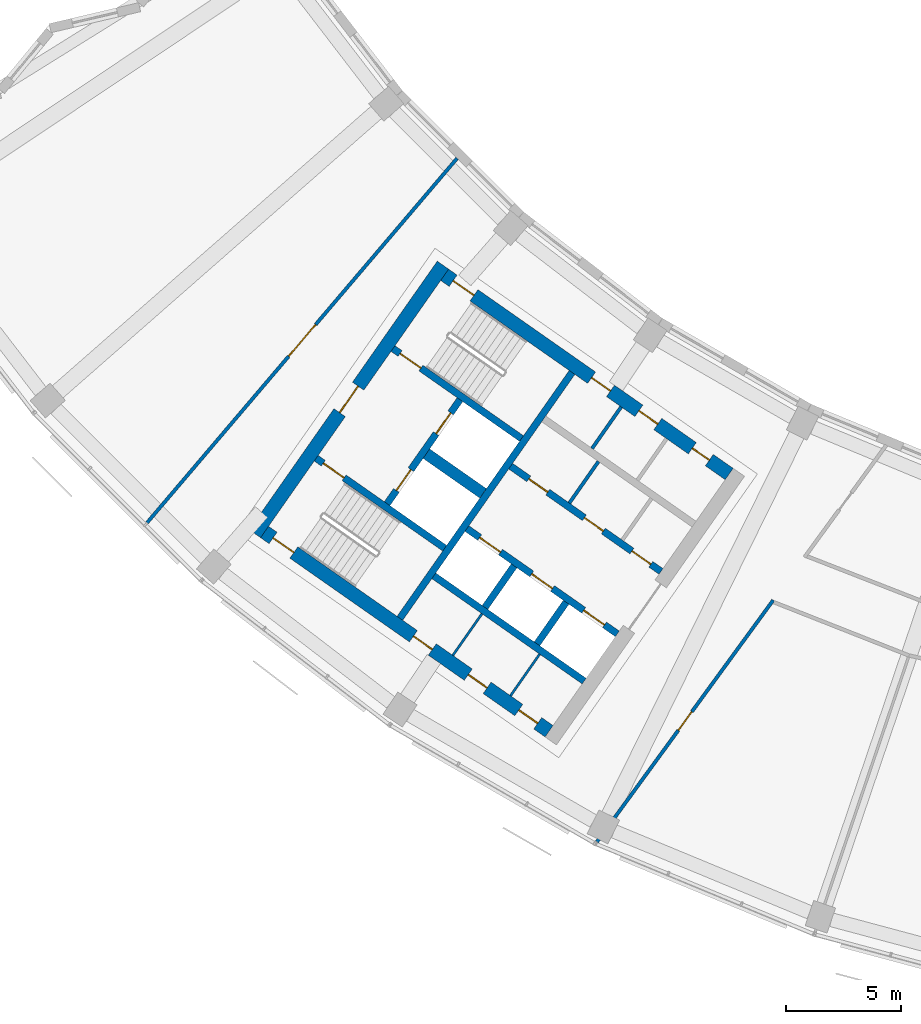
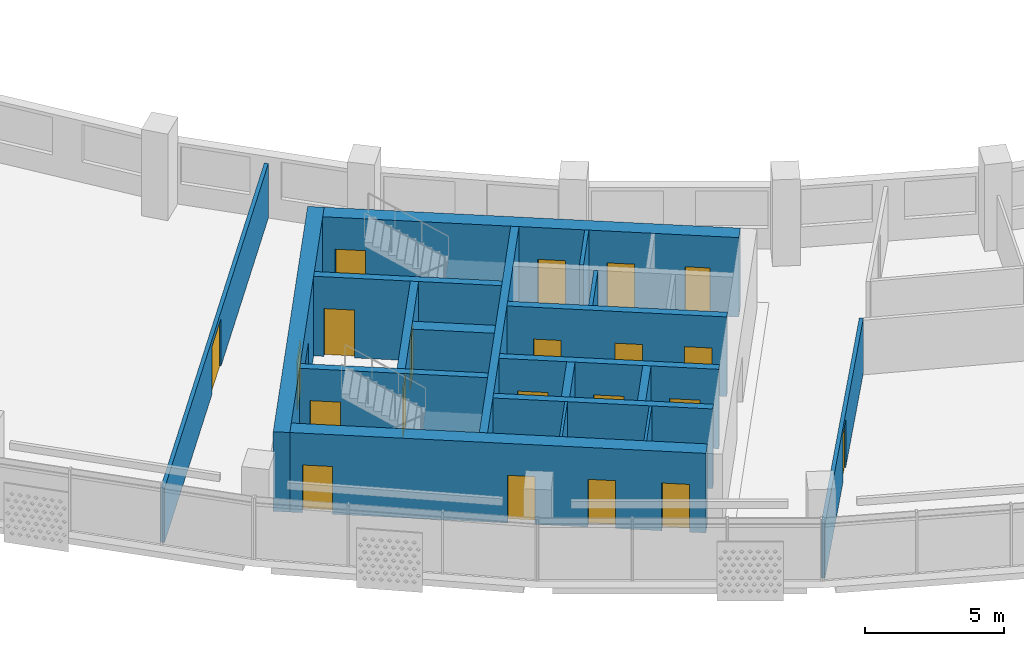
# One storey, part 3 of 27: 21 doors, 19 walls, 21 openings.
"""IFC4 building model written with IfcOpenShell, lengths in metres."""

from ifc_helpers import new_model, si_unit, direction, frame, frame_2d, origin, place, context, subcontext, project, spatial, rectangle, extrude, material, layer, layer_set, type_object, element, fill, save


model = new_model("IFC4")

# Units and contexts
model_context = context("Model", 3, precision=1e-05, world=origin(), true_north=direction((0.0, 1.0)))
body_context = subcontext(model_context, "Body", "Model", "MODEL_VIEW")
ifc_project = project(units=[si_unit("LENGTHUNIT", "METRE"), si_unit("AREAUNIT", "SQUARE_METRE"), si_unit("VOLUMEUNIT", "CUBIC_METRE"), si_unit("PLANEANGLEUNIT", "RADIAN"), si_unit("MASSUNIT", "GRAM", prefix="KILO")], contexts=[model_context])

# Site, building, storey
site_placement = place(None, origin())
site = spatial("IfcSite", under=ifc_project, at=site_placement, CompositionType="ELEMENT")
building_placement = place(site_placement, origin())
building = spatial("IfcBuilding", under=site, at=building_placement, Name="Qamariyya Broadcast Tower", CompositionType="ELEMENT")
storey_placement = place(building_placement, frame((0.0, 0.0, 222.699951171875)))
storey = spatial("IfcBuildingStorey", under=building, at=storey_placement, Name="L53", CompositionType="ELEMENT", Elevation=222.699951171875)

# Wall, opening, door
ifc_material_1 = material(Name="Concrete C60/75", Category="concrete")
ifc_layer_1 = layer(ifc_material_1, 0.60009765625)
ifc_layer_set_1 = layer_set([ifc_layer_1], Name="Core wall 600 mm Concrete C60/75")
wall_type_1 = type_object("IfcWallType", Name="Core wall 600 mm Concrete C60/75", PredefinedType="SHEAR", material=ifc_layer_set_1)
wall_1_placement = place(storey_placement, frame((-49.4833984375, -57.031494140625, 0.0), z_axis=(0.0, 0.0, 1.0), x_axis=(0.573560421458, 0.819163257805, 0.0)))
wall_1 = element("IfcWall", 1, at=wall_1_placement, inside=storey, type_object=wall_type_1, Name="k-W-L53-WH", PredefinedType="SHEAR", context=body_context, shape_type="SweptSolid", body=[
    extrude(rectangle(XDim=14.199951171875, YDim=0.60009765625, at=frame_2d((7.10009765625, 0.0))), origin(), (0.0, 0.0, 1.0), 3.5),
])
opening_1_placement = place(wall_1_placement, frame((6.39990234375, 0.0, 0.0)))
opening_1 = element("IfcOpeningElement", 2, at=opening_1_placement, cuts=wall_1, Name="Opening KD2-W1", PredefinedType="OPENING", context=body_context, shape_type="SweptSolid", body=[
    extrude(rectangle(XDim=1.39990234375, YDim=2.10009765625, at=frame_2d((0.699951171875, 1.050048828125))), frame((0.0, 0.31005859375, 0.0), z_axis=(0.0, -1.0, 0.0), x_axis=(1.0, 0.0, 0.0)), (0.0, 0.0, 1.0), 0.6201171875),
])
ifc_material_2 = material(Name="Steel fire-resisting door leaf", Category="steel")
door_type_1 = type_object("IfcDoorType", Name="Fire-fighting lobby door KD2", OperationType="DOUBLE_DOOR_SINGLE_SWING", PredefinedType="DOOR", material=ifc_material_2)
door_1_placement = place(opening_1_placement, origin())
door_1 = element("IfcDoor", 3, at=door_1_placement, inside=storey, type_object=door_type_1, Name="k-W-L53-WH-D16", OperationType="DOUBLE_DOOR_SINGLE_SWING", OverallHeight=2.10009765625, OverallWidth=1.39990234375, PredefinedType="DOOR", context=body_context, shape_type="SweptSolid", body=[
    extrude(rectangle(XDim=1.39990234375, YDim=2.10009765625, at=frame_2d((0.699951171875, 1.050048828125))), frame((0.0, 0.02490234375, 0.0), z_axis=(0.0, -1.0, 0.0), x_axis=(1.0, 0.0, 0.0)), (0.0, 0.0, 1.0), 0.050048828125),
])
fill(opening_1, door_1)

# Wall, openings, doors
wall_2_placement = place(storey_placement, frame((-28.940673828125, -54.447021484375, 0.0), z_axis=(0.0, 0.0, 1.0), x_axis=(-0.819153391756, 0.573574511963, 0.0)))
wall_2 = element("IfcWall", 4, at=wall_2_placement, inside=storey, type_object=wall_type_1, Name="k-W-L53-WI", PredefinedType="SHEAR", context=body_context, shape_type="SweptSolid", body=[
    extrude(rectangle(XDim=15.04541015625, YDim=0.60009765625, at=frame_2d((7.522705078125, 0.0))), origin(), (0.0, 0.0, 1.0), 3.5),
])
opening_2_placement = place(wall_2_placement, frame((1.050048828125, 0.0, 0.0)))
opening_2 = element("IfcOpeningElement", 5, at=opening_2_placement, cuts=wall_2, Name="Opening KD5-W1", PredefinedType="OPENING", context=body_context, shape_type="SweptSolid", body=[
    extrude(rectangle(XDim=0.89990234375, YDim=2.10009765625, at=frame_2d((0.449951171875, 1.050048828125))), frame((0.0, 0.31005859375, 0.0), z_axis=(0.0, -1.0, 0.0), x_axis=(1.0, 0.0, 0.0)), (0.0, 0.0, 1.0), 0.6201171875),
])
opening_3_placement = place(wall_2_placement, frame((3.77490234375, 0.0, 0.0)))
opening_3 = element("IfcOpeningElement", 6, at=opening_3_placement, cuts=wall_2, Name="Opening KD7-W1", PredefinedType="OPENING", context=body_context, shape_type="SweptSolid", body=[
    extrude(rectangle(XDim=1.0, YDim=2.10009765625, at=frame_2d((0.5, 1.050048828125))), frame((0.0, 0.31005859375, 0.0), z_axis=(0.0, -1.0, 0.0), x_axis=(1.0, 0.0, 0.0)), (0.0, 0.0, 1.0), 0.6201171875),
])
opening_4_placement = place(wall_2_placement, frame((6.27490234375, 0.0, 0.0)))
opening_4 = element("IfcOpeningElement", 7, at=opening_4_placement, cuts=wall_2, Name="Opening KD6-W3", PredefinedType="OPENING", context=body_context, shape_type="SweptSolid", body=[
    extrude(rectangle(XDim=1.0, YDim=2.10009765625, at=frame_2d((0.5, 1.050048828125))), frame((0.0, 0.31005859375, 0.0), z_axis=(0.0, -1.0, 0.0), x_axis=(1.0, 0.0, 0.0)), (0.0, 0.0, 1.0), 0.6201171875),
])
opening_5_placement = place(wall_2_placement, frame((13.495361328125, 0.0, 0.0)))
opening_5 = element("IfcOpeningElement", 8, at=opening_5_placement, cuts=wall_2, Name="Opening KD1-W1", PredefinedType="OPENING", context=body_context, shape_type="SweptSolid", body=[
    extrude(rectangle(XDim=1.10009765625, YDim=2.10009765625, at=frame_2d((0.550048828125, 1.050048828125))), frame((0.0, 0.31005859375, 0.0), z_axis=(0.0, -1.0, 0.0), x_axis=(1.0, 0.0, 0.0)), (0.0, 0.0, 1.0), 0.6201171875),
])
door_type_2 = type_object("IfcDoorType", Name="Accessible toilet door KD7", OperationType="SINGLE_SWING_LEFT", PredefinedType="DOOR", material=ifc_material_2)
door_2_placement = place(opening_3_placement, origin())
door_2 = element("IfcDoor", 9, at=door_2_placement, inside=storey, type_object=door_type_2, Name="k-W-L53-WI-D9", OperationType="SINGLE_SWING_RIGHT", OverallHeight=2.10009765625, OverallWidth=1.0, PredefinedType="DOOR", context=body_context, shape_type="SweptSolid", body=[
    extrude(rectangle(XDim=1.0, YDim=2.10009765625, at=frame_2d((0.5, 1.050048828125))), frame((0.0, 0.02490234375, 0.0), z_axis=(0.0, -1.0, 0.0), x_axis=(1.0, 0.0, 0.0)), (0.0, 0.0, 1.0), 0.050048828125),
])
fill(opening_3, door_2)
door_type_3 = type_object("IfcDoorType", Name="Core room door KD6", OperationType="SINGLE_SWING_LEFT", PredefinedType="DOOR", material=ifc_material_2)
door_3_placement = place(opening_4_placement, origin())
door_3 = element("IfcDoor", 10, at=door_3_placement, inside=storey, type_object=door_type_3, Name="k-W-L53-WI-D10", OperationType="SINGLE_SWING_LEFT", OverallHeight=2.10009765625, OverallWidth=1.0, PredefinedType="DOOR", context=body_context, shape_type="SweptSolid", body=[
    extrude(rectangle(XDim=1.0, YDim=2.10009765625, at=frame_2d((0.5, 1.050048828125))), frame((0.0, 0.02490234375, 0.0), z_axis=(0.0, -1.0, 0.0), x_axis=(1.0, 0.0, 0.0)), (0.0, 0.0, 1.0), 0.050048828125),
])
fill(opening_4, door_3)
door_type_4 = type_object("IfcDoorType", Name="Stair door KD1", OperationType="SINGLE_SWING_LEFT", PredefinedType="DOOR", material=ifc_material_2)
door_4_placement = place(opening_5_placement, origin())
door_4 = element("IfcDoor", 11, at=door_4_placement, inside=storey, type_object=door_type_4, Name="k-W-L53-WI-D17", OperationType="SINGLE_SWING_RIGHT", OverallHeight=2.10009765625, OverallWidth=1.10009765625, PredefinedType="DOOR", context=body_context, shape_type="SweptSolid", body=[
    extrude(rectangle(XDim=1.10009765625, YDim=2.10009765625, at=frame_2d((0.550048828125, 1.050048828125))), frame((0.0, 0.02490234375, 0.0), z_axis=(0.0, -1.0, 0.0), x_axis=(1.0, 0.0, 0.0)), (0.0, 0.0, 1.0), 0.050048828125),
])
fill(opening_5, door_4)
door_type_5 = type_object("IfcDoorType", Name="Toilet door KD5", OperationType="SINGLE_SWING_LEFT", PredefinedType="DOOR", material=ifc_material_2)
door_5_placement = place(opening_2_placement, origin())
door_5 = element("IfcDoor", 12, at=door_5_placement, inside=storey, type_object=door_type_5, Name="k-W-L53-WI-D8", OperationType="SINGLE_SWING_LEFT", OverallHeight=2.10009765625, OverallWidth=0.89990234375, PredefinedType="DOOR", context=body_context, shape_type="SweptSolid", body=[
    extrude(rectangle(XDim=0.89990234375, YDim=2.10009765625, at=frame_2d((0.449951171875, 1.050048828125))), frame((0.0, 0.02490234375, 0.0), z_axis=(0.0, -1.0, 0.0), x_axis=(1.0, 0.0, 0.0)), (0.0, 0.0, 1.0), 0.050048828125),
])
fill(opening_2, door_5)

wall_3_placement = place(storey_placement, frame((-36.7412109375, -65.58740234375, 0.0), z_axis=(0.0, 0.0, 1.0), x_axis=(-0.819153391756, 0.573574511963, 0.0)))
wall_3 = element("IfcWall", 13, at=wall_3_placement, inside=storey, type_object=wall_type_1, Name="k-W-L53-WO", PredefinedType="SHEAR", context=body_context, shape_type="SweptSolid", body=[
    extrude(rectangle(XDim=15.04541015625, YDim=0.60009765625, at=frame_2d((7.522705078125, 0.0))), origin(), (0.0, 0.0, 1.0), 3.5),
])
opening_6_placement = place(wall_3_placement, frame((0.60009765625, 0.0, 0.0)))
opening_6 = element("IfcOpeningElement", 14, at=opening_6_placement, cuts=wall_3, Name="Opening KD4-W2", PredefinedType="OPENING", context=body_context, shape_type="SweptSolid", body=[
    extrude(rectangle(XDim=1.0, YDim=2.10009765625, at=frame_2d((0.5, 1.050048828125))), frame((0.0, 0.31005859375, 0.0), z_axis=(0.0, -1.0, 0.0), x_axis=(1.0, 0.0, 0.0)), (0.0, 0.0, 1.0), 0.6201171875),
])
opening_7_placement = place(wall_3_placement, frame((3.27490234375, 0.0, 0.0)))
opening_7 = element("IfcOpeningElement", 15, at=opening_7_placement, cuts=wall_3, Name="Opening KD4-W3", PredefinedType="OPENING", context=body_context, shape_type="SweptSolid", body=[
    extrude(rectangle(XDim=1.0, YDim=2.10009765625, at=frame_2d((0.5, 1.050048828125))), frame((0.0, 0.31005859375, 0.0), z_axis=(0.0, -1.0, 0.0), x_axis=(1.0, 0.0, 0.0)), (0.0, 0.0, 1.0), 0.6201171875),
])
opening_8_placement = place(wall_3_placement, frame((6.175048828125, 0.0, 0.0)))
opening_8 = element("IfcOpeningElement", 16, at=opening_8_placement, cuts=wall_3, Name="Opening KD4-W4", PredefinedType="OPENING", context=body_context, shape_type="SweptSolid", body=[
    extrude(rectangle(XDim=1.0, YDim=2.10009765625, at=frame_2d((0.5, 1.050048828125))), frame((0.0, 0.31005859375, 0.0), z_axis=(0.0, -1.0, 0.0), x_axis=(1.0, 0.0, 0.0)), (0.0, 0.0, 1.0), 0.6201171875),
])
opening_9_placement = place(wall_3_placement, frame((13.495361328125, 0.0, 0.0)))
opening_9 = element("IfcOpeningElement", 17, at=opening_9_placement, cuts=wall_3, Name="Opening KD1-W3", PredefinedType="OPENING", context=body_context, shape_type="SweptSolid", body=[
    extrude(rectangle(XDim=1.10009765625, YDim=2.10009765625, at=frame_2d((0.550048828125, 1.050048828125))), frame((0.0, 0.31005859375, 0.0), z_axis=(0.0, -1.0, 0.0), x_axis=(1.0, 0.0, 0.0)), (0.0, 0.0, 1.0), 0.6201171875),
])
door_type_6 = type_object("IfcDoorType", Name="Riser and plant door KD4", OperationType="SINGLE_SWING_LEFT", PredefinedType="DOOR", material=ifc_material_2)
door_6_placement = place(opening_6_placement, origin())
door_6 = element("IfcDoor", 18, at=door_6_placement, inside=storey, type_object=door_type_6, Name="k-W-L53-WO-D11", OperationType="SINGLE_SWING_RIGHT", OverallHeight=2.10009765625, OverallWidth=1.0, PredefinedType="DOOR", context=body_context, shape_type="SweptSolid", body=[
    extrude(rectangle(XDim=1.0, YDim=2.10009765625, at=frame_2d((0.5, 1.050048828125))), frame((0.0, 0.02490234375, 0.0), z_axis=(0.0, -1.0, 0.0), x_axis=(1.0, 0.0, 0.0)), (0.0, 0.0, 1.0), 0.050048828125),
])
fill(opening_6, door_6)
door_7_placement = place(opening_7_placement, origin())
door_7 = element("IfcDoor", 19, at=door_7_placement, inside=storey, type_object=door_type_6, Name="k-W-L53-WO-D12", OperationType="SINGLE_SWING_LEFT", OverallHeight=2.10009765625, OverallWidth=1.0, PredefinedType="DOOR", context=body_context, shape_type="SweptSolid", body=[
    extrude(rectangle(XDim=1.0, YDim=2.10009765625, at=frame_2d((0.5, 1.050048828125))), frame((0.0, 0.02490234375, 0.0), z_axis=(0.0, -1.0, 0.0), x_axis=(1.0, 0.0, 0.0)), (0.0, 0.0, 1.0), 0.050048828125),
])
fill(opening_7, door_7)
door_8_placement = place(opening_8_placement, origin())
door_8 = element("IfcDoor", 20, at=door_8_placement, inside=storey, type_object=door_type_6, Name="k-W-L53-WO-D13", OperationType="SINGLE_SWING_RIGHT", OverallHeight=2.10009765625, OverallWidth=1.0, PredefinedType="DOOR", context=body_context, shape_type="SweptSolid", body=[
    extrude(rectangle(XDim=1.0, YDim=2.10009765625, at=frame_2d((0.5, 1.050048828125))), frame((0.0, 0.02490234375, 0.0), z_axis=(0.0, -1.0, 0.0), x_axis=(1.0, 0.0, 0.0)), (0.0, 0.0, 1.0), 0.050048828125),
])
fill(opening_8, door_8)
door_9_placement = place(opening_9_placement, origin())
door_9 = element("IfcDoor", 21, at=door_9_placement, inside=storey, type_object=door_type_4, Name="k-W-L53-WO-D19", OperationType="SINGLE_SWING_LEFT", OverallHeight=2.10009765625, OverallWidth=1.10009765625, PredefinedType="DOOR", context=body_context, shape_type="SweptSolid", body=[
    extrude(rectangle(XDim=1.10009765625, YDim=2.10009765625, at=frame_2d((0.550048828125, 1.050048828125))), frame((0.0, 0.02490234375, 0.0), z_axis=(0.0, -1.0, 0.0), x_axis=(1.0, 0.0, 0.0)), (0.0, 0.0, 1.0), 0.050048828125),
])
fill(opening_9, door_9)

# Wall, opening, door
ifc_material_3 = material(Name="Gypsum board partition")
ifc_layer_2 = layer(ifc_material_3, 0.14990234375)
ifc_layer_set_2 = layer_set([ifc_layer_2], Name="Corridor partition 150 EI 60")
wall_type_2 = type_object("IfcWallType", Name="Corridor partition 150 EI 60", PredefinedType="PARTITIONING", material=ifc_layer_set_2)
wall_4_placement = place(storey_placement, frame((-54.15283203125, -56.554931640625, 0.0), z_axis=(0.0, 0.0, 1.0), x_axis=(0.647962636986, 0.761672121762, 0.0)))
wall_4 = element("IfcWall", 22, at=wall_4_placement, inside=storey, type_object=wall_type_2, Name="Partition L53-001", PredefinedType="PARTITIONING", context=body_context, shape_type="SweptSolid", body=[
    extrude(rectangle(XDim=20.723388671875, YDim=0.14990234375, at=frame_2d((10.36181640625, 0.0))), origin(), (0.0, 0.0, 1.0), 2.400146484375),
])
opening_10_placement = place(wall_4_placement, frame((9.461669921875, 0.0, 0.0)))
opening_10 = element("IfcOpeningElement", 23, at=opening_10_placement, cuts=wall_4, Name="Opening L53-D15", PredefinedType="OPENING", context=body_context, shape_type="SweptSolid", body=[
    extrude(rectangle(XDim=1.800048828125, YDim=2.10009765625, at=frame_2d((0.89990234375, 1.050048828125))), frame((0.0, 0.0849609375, 0.0), z_axis=(0.0, -1.0, 0.0), x_axis=(1.0, 0.0, 0.0)), (0.0, 0.0, 1.0), 0.169921875),
])
ifc_material_4 = material(Name="Timber fire door leaf", Category="wood")
door_type_7 = type_object("IfcDoorType", Name="Double fire door 1800 x 2100 FD60", OperationType="NOTDEFINED", PredefinedType="DOOR", material=ifc_material_4)
door_10_placement = place(opening_10_placement, origin())
door_10 = element("IfcDoor", 24, at=door_10_placement, inside=storey, type_object=door_type_7, Name="Door L53-D15", OperationType="DOUBLE_DOOR_SINGLE_SWING", OverallHeight=2.10009765625, OverallWidth=1.800048828125, PredefinedType="DOOR", context=body_context, shape_type="SweptSolid", body=[
    extrude(rectangle(XDim=1.800048828125, YDim=2.10009765625, at=frame_2d((0.89990234375, 1.050048828125))), frame((0.0, 0.02490234375, 0.0), z_axis=(0.0, -1.0, 0.0), x_axis=(1.0, 0.0, 0.0)), (0.0, 0.0, 1.0), 0.050048828125),
])
fill(opening_10, door_10)

wall_5_placement = place(storey_placement, frame((-27.033447265625, -59.90966796875, 0.0), z_axis=(0.0, 0.0, 1.0), x_axis=(-0.589273648147, -0.807933516819, 0.0)))
wall_5 = element("IfcWall", 25, at=wall_5_placement, inside=storey, type_object=wall_type_2, Name="Partition L53-002", PredefinedType="PARTITIONING", context=body_context, shape_type="SweptSolid", body=[
    extrude(rectangle(XDim=12.956298828125, YDim=0.14990234375, at=frame_2d((6.47802734375, 0.0))), origin(), (0.0, 0.0, 1.0), 2.400146484375),
])
opening_11_placement = place(wall_5_placement, frame((5.97802734375, 0.0, 0.0)))
opening_11 = element("IfcOpeningElement", 26, at=opening_11_placement, cuts=wall_5, Name="Opening L53-D01", PredefinedType="OPENING", context=body_context, shape_type="SweptSolid", body=[
    extrude(rectangle(XDim=1.0, YDim=2.10009765625, at=frame_2d((0.5, 1.050048828125))), frame((0.0, 0.0849609375, 0.0), z_axis=(0.0, -1.0, 0.0), x_axis=(1.0, 0.0, 0.0)), (0.0, 0.0, 1.0), 0.169921875),
])
door_type_8 = type_object("IfcDoorType", Name="Fire door 1000 x 2100 FD60", OperationType="NOTDEFINED", PredefinedType="DOOR", material=ifc_material_4)
door_11_placement = place(opening_11_placement, origin())
door_11 = element("IfcDoor", 27, at=door_11_placement, inside=storey, type_object=door_type_8, Name="Door L53-D01", OperationType="SINGLE_SWING_RIGHT", OverallHeight=2.10009765625, OverallWidth=1.0, PredefinedType="DOOR", context=body_context, shape_type="SweptSolid", body=[
    extrude(rectangle(XDim=1.0, YDim=2.10009765625, at=frame_2d((0.5, 1.050048828125))), frame((0.0, 0.02490234375, 0.0), z_axis=(0.0, -1.0, 0.0), x_axis=(1.0, 0.0, 0.0)), (0.0, 0.0, 1.0), 0.050048828125),
])
fill(opening_11, door_11)

# Walls
ifc_layer_3 = layer(ifc_material_1, 0.5)
ifc_layer_set_3 = layer_set([ifc_layer_3], Name="Fire-fighting lobby divider wall 500 mm Concrete C60/75")
wall_type_3 = type_object("IfcWallType", Name="Fire-fighting lobby divider wall 500 mm Concrete C60/75", PredefinedType="SOLIDWALL", material=ifc_layer_set_3)
wall_6_placement = place(storey_placement, frame((-39.59912109375, -55.28515625, 0.0), z_axis=(0.0, 0.0, 1.0), x_axis=(-0.819136323161, 0.573598887793, 0.0)))
element("IfcWall", 28, at=wall_6_placement, inside=storey, type_object=wall_type_3, Name="k-W-L53-FD", PredefinedType="SOLIDWALL", context=body_context, shape_type="SweptSolid", body=[
    extrude(rectangle(XDim=2.999755859375, YDim=0.5, at=frame_2d((1.5, 0.0))), origin(), (0.0, 0.0, 1.0), 3.5),
])
ifc_material_5 = material(Name="Gypsum board partition on steel studs", Category="steel")
ifc_layer_4 = layer(ifc_material_5, 0.14990234375)
ifc_layer_set_4 = layer_set([ifc_layer_4], Name="Gypsum board partition 150 mm")
wall_type_4 = type_object("IfcWallType", Name="Gypsum board partition 150 mm", PredefinedType="PARTITIONING", material=ifc_layer_set_4)
wall_7_placement = place(storey_placement, frame((-35.86328125, -55.70361328125, 0.0), z_axis=(0.0, 0.0, 1.0), x_axis=(0.573507030513, 0.819200638399, 0.0)))
element("IfcWall", 29, at=wall_7_placement, inside=storey, type_object=wall_type_4, Name="k-W-L53-NC495", PredefinedType="PARTITIONING", context=body_context, shape_type="SweptSolid", body=[
    extrude(rectangle(XDim=2.199951171875, YDim=0.14990234375, at=frame_2d((1.10009765625, 0.0))), origin(), (0.0, 0.0, 1.0), 3.5),
])
wall_8_placement = place(storey_placement, frame((-34.8798828125, -53.340087890625, 0.0), z_axis=(0.0, 0.0, 1.0), x_axis=(0.573559170999, 0.819164133348, 0.0)))
element("IfcWall", 30, at=wall_8_placement, inside=storey, type_object=wall_type_4, Name="k-W-L53-NP550", PredefinedType="PARTITIONING", context=body_context, shape_type="SweptSolid", body=[
    extrude(rectangle(XDim=2.19970703125, YDim=0.14990234375, at=frame_2d((1.099853515625, 0.0))), origin(), (0.0, 0.0, 1.0), 3.5),
])
ifc_layer_5 = layer(ifc_material_1, 0.300048828125)
ifc_layer_set_5 = layer_set([ifc_layer_5], Name="Lift shaft wall 300 mm Concrete C60/75")
wall_type_5 = type_object("IfcWallType", Name="Lift shaft wall 300 mm Concrete C60/75", PredefinedType="SOLIDWALL", material=ifc_layer_set_5)
wall_9_placement = place(storey_placement, frame((-43.204345703125, -60.69580078125, 0.0), z_axis=(0.0, 0.0, 1.0), x_axis=(0.573571992966, 0.819155155563, 0.0)))
element("IfcWall", 31, at=wall_9_placement, inside=storey, type_object=wall_type_5, Name="k-W-L53-WL", PredefinedType="SOLIDWALL", context=body_context, shape_type="SweptSolid", body=[
    extrude(rectangle(XDim=13.000244140625, YDim=0.300048828125, at=frame_2d((6.5, 0.0))), origin(), (0.0, 0.0, 1.0), 3.5),
])

# Wall, openings, doors
wall_10_placement = place(storey_placement, frame((-31.89453125, -58.66552734375, 0.0), z_axis=(0.0, 0.0, 1.0), x_axis=(-0.819166993208, 0.573555086491, 0.0)))
wall_10 = element("IfcWall", 32, at=wall_10_placement, inside=storey, type_object=wall_type_5, Name="k-W-L53-NF0", PredefinedType="SOLIDWALL", context=body_context, shape_type="SweptSolid", body=[
    extrude(rectangle(XDim=7.9501953125, YDim=0.300048828125, at=frame_2d((3.97509765625, 0.0))), origin(), (0.0, 0.0, 1.0), 3.5),
])
opening_12_placement = place(wall_10_placement, frame((0.53759765625, 0.0, 0.0)))
opening_12 = element("IfcOpeningElement", 33, at=opening_12_placement, cuts=wall_10, Name="Opening KD6-W1", PredefinedType="OPENING", context=body_context, shape_type="SweptSolid", body=[
    extrude(rectangle(XDim=1.0, YDim=2.10009765625, at=frame_2d((0.5, 1.050048828125))), frame((0.0, 0.159912109375, 0.0), z_axis=(0.0, -1.0, 0.0), x_axis=(1.0, 0.0, 0.0)), (0.0, 0.0, 1.0), 0.320068359375),
])
opening_13_placement = place(wall_10_placement, frame((3.050048828125, 0.0, 0.0)))
opening_13 = element("IfcOpeningElement", 34, at=opening_13_placement, cuts=wall_10, Name="Opening KD6-W2", PredefinedType="OPENING", context=body_context, shape_type="SweptSolid", body=[
    extrude(rectangle(XDim=1.0, YDim=2.10009765625, at=frame_2d((0.5, 1.050048828125))), frame((0.0, 0.159912109375, 0.0), z_axis=(0.0, -1.0, 0.0), x_axis=(1.0, 0.0, 0.0)), (0.0, 0.0, 1.0), 0.320068359375),
])
opening_14_placement = place(wall_10_placement, frame((5.987548828125, 0.0, 0.0)))
opening_14 = element("IfcOpeningElement", 35, at=opening_14_placement, cuts=wall_10, Name="Opening KD4-W1", PredefinedType="OPENING", context=body_context, shape_type="SweptSolid", body=[
    extrude(rectangle(XDim=1.0, YDim=2.10009765625, at=frame_2d((0.5, 1.050048828125))), frame((0.0, 0.159912109375, 0.0), z_axis=(0.0, -1.0, 0.0), x_axis=(1.0, 0.0, 0.0)), (0.0, 0.0, 1.0), 0.320068359375),
])
door_12_placement = place(opening_12_placement, origin())
door_12 = element("IfcDoor", 36, at=door_12_placement, inside=storey, type_object=door_type_3, Name="k-W-L53-NF0-D2", OperationType="SINGLE_SWING_LEFT", OverallHeight=2.10009765625, OverallWidth=1.0, PredefinedType="DOOR", context=body_context, shape_type="SweptSolid", body=[
    extrude(rectangle(XDim=1.0, YDim=2.10009765625, at=frame_2d((0.5, 1.050048828125))), frame((0.0, 0.02490234375, 0.0), z_axis=(0.0, -1.0, 0.0), x_axis=(1.0, 0.0, 0.0)), (0.0, 0.0, 1.0), 0.050048828125),
])
fill(opening_12, door_12)
door_13_placement = place(opening_13_placement, origin())
door_13 = element("IfcDoor", 37, at=door_13_placement, inside=storey, type_object=door_type_3, Name="k-W-L53-NF0-D3", OperationType="SINGLE_SWING_RIGHT", OverallHeight=2.10009765625, OverallWidth=1.0, PredefinedType="DOOR", context=body_context, shape_type="SweptSolid", body=[
    extrude(rectangle(XDim=1.0, YDim=2.10009765625, at=frame_2d((0.5, 1.050048828125))), frame((0.0, 0.02490234375, 0.0), z_axis=(0.0, -1.0, 0.0), x_axis=(1.0, 0.0, 0.0)), (0.0, 0.0, 1.0), 0.050048828125),
])
fill(opening_13, door_13)
door_14_placement = place(opening_14_placement, origin())
door_14 = element("IfcDoor", 38, at=door_14_placement, inside=storey, type_object=door_type_6, Name="k-W-L53-NF0-D4", OperationType="SINGLE_SWING_LEFT", OverallHeight=2.10009765625, OverallWidth=1.0, PredefinedType="DOOR", context=body_context, shape_type="SweptSolid", body=[
    extrude(rectangle(XDim=1.0, YDim=2.10009765625, at=frame_2d((0.5, 1.050048828125))), frame((0.0, 0.02490234375, 0.0), z_axis=(0.0, -1.0, 0.0), x_axis=(1.0, 0.0, 0.0)), (0.0, 0.0, 1.0), 0.050048828125),
])
fill(opening_14, door_14)

wall_11_placement = place(storey_placement, frame((-33.787353515625, -61.368896484375, 0.0), z_axis=(0.0, 0.0, 1.0), x_axis=(-0.819152564888, 0.573575692858, 0.0)))
wall_11 = element("IfcWall", 39, at=wall_11_placement, inside=storey, type_object=wall_type_5, Name="k-W-L53-SF0", PredefinedType="SOLIDWALL", context=body_context, shape_type="SweptSolid", body=[
    extrude(rectangle(XDim=7.9501953125, YDim=0.300048828125, at=frame_2d((3.97509765625, 0.0))), origin(), (0.0, 0.0, 1.0), 3.5),
])
opening_15_placement = place(wall_11_placement, frame((0.675048828125, 0.0, 0.0)))
opening_15 = element("IfcOpeningElement", 40, at=opening_15_placement, cuts=wall_11, Name="Opening LD", PredefinedType="OPENING", context=body_context, shape_type="SweptSolid", body=[
    extrude(rectangle(XDim=1.10009765625, YDim=2.10009765625, at=frame_2d((0.550048828125, 1.050048828125))), frame((0.0, 0.159912109375, 0.0), z_axis=(0.0, -1.0, 0.0), x_axis=(1.0, 0.0, 0.0)), (0.0, 0.0, 1.0), 0.320068359375),
])
opening_16_placement = place(wall_11_placement, frame((3.425048828125, 0.0, 0.0)))
opening_16 = element("IfcOpeningElement", 41, at=opening_16_placement, cuts=wall_11, Name="Opening LD", PredefinedType="OPENING", context=body_context, shape_type="SweptSolid", body=[
    extrude(rectangle(XDim=1.10009765625, YDim=2.10009765625, at=frame_2d((0.550048828125, 1.050048828125))), frame((0.0, 0.159912109375, 0.0), z_axis=(0.0, -1.0, 0.0), x_axis=(1.0, 0.0, 0.0)), (0.0, 0.0, 1.0), 0.320068359375),
])
opening_17_placement = place(wall_11_placement, frame((6.175048828125, 0.0, 0.0)))
opening_17 = element("IfcOpeningElement", 42, at=opening_17_placement, cuts=wall_11, Name="Opening LD", PredefinedType="OPENING", context=body_context, shape_type="SweptSolid", body=[
    extrude(rectangle(XDim=1.10009765625, YDim=2.10009765625, at=frame_2d((0.550048828125, 1.050048828125))), frame((0.0, 0.159912109375, 0.0), z_axis=(0.0, -1.0, 0.0), x_axis=(1.0, 0.0, 0.0)), (0.0, 0.0, 1.0), 0.320068359375),
])
door_type_9 = type_object("IfcDoorType", Name="Lift landing door LD", OperationType="DOUBLE_DOOR_SLIDING", PredefinedType="DOOR", material=ifc_material_2)
door_15_placement = place(opening_15_placement, origin())
door_15 = element("IfcDoor", 43, at=door_15_placement, inside=storey, type_object=door_type_9, Name="k-W-L53-SF0-D5", OperationType="DOUBLE_DOOR_SLIDING", OverallHeight=2.10009765625, OverallWidth=1.10009765625, PredefinedType="DOOR", context=body_context, shape_type="SweptSolid", body=[
    extrude(rectangle(XDim=1.10009765625, YDim=2.10009765625, at=frame_2d((0.550048828125, 1.050048828125))), frame((0.0, 0.02490234375, 0.0), z_axis=(0.0, -1.0, 0.0), x_axis=(1.0, 0.0, 0.0)), (0.0, 0.0, 1.0), 0.050048828125),
])
fill(opening_15, door_15)
door_16_placement = place(opening_16_placement, origin())
door_16 = element("IfcDoor", 44, at=door_16_placement, inside=storey, type_object=door_type_9, Name="k-W-L53-SF0-D6", OperationType="DOUBLE_DOOR_SLIDING", OverallHeight=2.10009765625, OverallWidth=1.10009765625, PredefinedType="DOOR", context=body_context, shape_type="SweptSolid", body=[
    extrude(rectangle(XDim=1.10009765625, YDim=2.10009765625, at=frame_2d((0.550048828125, 1.050048828125))), frame((0.0, 0.02490234375, 0.0), z_axis=(0.0, -1.0, 0.0), x_axis=(1.0, 0.0, 0.0)), (0.0, 0.0, 1.0), 0.050048828125),
])
fill(opening_16, door_16)
door_17_placement = place(opening_17_placement, origin())
door_17 = element("IfcDoor", 45, at=door_17_placement, inside=storey, type_object=door_type_9, Name="k-W-L53-SF0-D7", OperationType="DOUBLE_DOOR_SLIDING", OverallHeight=2.10009765625, OverallWidth=1.10009765625, PredefinedType="DOOR", context=body_context, shape_type="SweptSolid", body=[
    extrude(rectangle(XDim=1.10009765625, YDim=2.10009765625, at=frame_2d((0.550048828125, 1.050048828125))), frame((0.0, 0.02490234375, 0.0), z_axis=(0.0, -1.0, 0.0), x_axis=(1.0, 0.0, 0.0)), (0.0, 0.0, 1.0), 0.050048828125),
])
fill(opening_17, door_17)

# Walls
wall_12_placement = place(storey_placement, frame((-35.22119140625, -63.41650390625, 0.0), z_axis=(0.0, 0.0, 1.0), x_axis=(-0.819166993208, 0.573555086491, 0.0)))
element("IfcWall", 46, at=wall_12_placement, inside=storey, type_object=wall_type_5, Name="k-W-L53-SB0", PredefinedType="SOLIDWALL", context=body_context, shape_type="SweptSolid", body=[
    extrude(rectangle(XDim=7.9501953125, YDim=0.300048828125, at=frame_2d((3.97509765625, 0.0))), origin(), (0.0, 0.0, 1.0), 3.5),
])
wall_13_placement = place(storey_placement, frame((-36.003173828125, -60.000244140625, 0.0), z_axis=(0.0, 0.0, 1.0), x_axis=(-0.573581496053, -0.819148501424, 0.0)))
element("IfcWall", 47, at=wall_13_placement, inside=storey, type_object=wall_type_5, Name="k-W-L53-SD0", PredefinedType="SOLIDWALL", context=body_context, shape_type="SweptSolid", body=[
    extrude(rectangle(XDim=2.2001953125, YDim=0.300048828125, at=frame_2d((1.10009765625, 0.0))), origin(), (0.0, 0.0, 1.0), 3.5),
])
wall_14_placement = place(storey_placement, frame((-38.255859375, -58.423095703125, 0.0), z_axis=(0.0, 0.0, 1.0), x_axis=(-0.573633636671, -0.819111989218, 0.0)))
element("IfcWall", 48, at=wall_14_placement, inside=storey, type_object=wall_type_5, Name="k-W-L53-SD1", PredefinedType="SOLIDWALL", context=body_context, shape_type="SweptSolid", body=[
    extrude(rectangle(XDim=2.199951171875, YDim=0.300048828125, at=frame_2d((1.10009765625, 0.0))), origin(), (0.0, 0.0, 1.0), 3.5),
])

# Wall, opening, door
wall_15_placement = place(storey_placement, frame((-37.935546875, -52.90966796875, 0.0), z_axis=(0.0, 0.0, 1.0), x_axis=(-0.819147518138, 0.57358290031, 0.0)))
wall_15 = element("IfcWall", 49, at=wall_15_placement, inside=storey, type_object=wall_type_5, Name="k-W-L53-NW", PredefinedType="SOLIDWALL", context=body_context, shape_type="SweptSolid", body=[
    extrude(rectangle(XDim=6.79541015625, YDim=0.300048828125, at=frame_2d((3.397705078125, 0.0))), origin(), (0.0, 0.0, 1.0), 3.5),
])
opening_18_placement = place(wall_15_placement, frame((5.3203125, 0.0, 0.0)))
opening_18 = element("IfcOpeningElement", 50, at=opening_18_placement, cuts=wall_15, Name="Opening KD1-W2", PredefinedType="OPENING", context=body_context, shape_type="SweptSolid", body=[
    extrude(rectangle(XDim=1.10009765625, YDim=2.10009765625, at=frame_2d((0.550048828125, 1.050048828125))), frame((0.0, 0.159912109375, 0.0), z_axis=(0.0, -1.0, 0.0), x_axis=(1.0, 0.0, 0.0)), (0.0, 0.0, 1.0), 0.320068359375),
])
door_18_placement = place(opening_18_placement, origin())
door_18 = element("IfcDoor", 51, at=door_18_placement, inside=storey, type_object=door_type_4, Name="k-W-L53-NW-D18", OperationType="SINGLE_SWING_LEFT", OverallHeight=2.10009765625, OverallWidth=1.10009765625, PredefinedType="DOOR", context=body_context, shape_type="SweptSolid", body=[
    extrude(rectangle(XDim=1.10009765625, YDim=2.10009765625, at=frame_2d((0.550048828125, 1.050048828125))), frame((0.0, 0.02490234375, 0.0), z_axis=(0.0, -1.0, 0.0), x_axis=(1.0, 0.0, 0.0)), (0.0, 0.0, 1.0), 0.050048828125),
])
fill(opening_18, door_18)

wall_16_placement = place(storey_placement, frame((-41.262451171875, -57.66064453125, 0.0), z_axis=(0.0, 0.0, 1.0), x_axis=(-0.819164398642, 0.573558792102, 0.0)))
wall_16 = element("IfcWall", 52, at=wall_16_placement, inside=storey, type_object=wall_type_5, Name="k-W-L53-SW", PredefinedType="SOLIDWALL", context=body_context, shape_type="SweptSolid", body=[
    extrude(rectangle(XDim=6.795166015625, YDim=0.300048828125, at=frame_2d((3.3974609375, 0.0))), origin(), (0.0, 0.0, 1.0), 3.5),
])
opening_19_placement = place(wall_16_placement, frame((5.3203125, 0.0, 0.0)))
opening_19 = element("IfcOpeningElement", 53, at=opening_19_placement, cuts=wall_16, Name="Opening KD1-W4", PredefinedType="OPENING", context=body_context, shape_type="SweptSolid", body=[
    extrude(rectangle(XDim=1.10009765625, YDim=2.10009765625, at=frame_2d((0.550048828125, 1.050048828125))), frame((0.0, 0.159912109375, 0.0), z_axis=(0.0, -1.0, 0.0), x_axis=(1.0, 0.0, 0.0)), (0.0, 0.0, 1.0), 0.320068359375),
])
door_19_placement = place(opening_19_placement, origin())
door_19 = element("IfcDoor", 54, at=door_19_placement, inside=storey, type_object=door_type_4, Name="k-W-L53-SW-D20", OperationType="SINGLE_SWING_LEFT", OverallHeight=2.10009765625, OverallWidth=1.10009765625, PredefinedType="DOOR", context=body_context, shape_type="SweptSolid", body=[
    extrude(rectangle(XDim=1.10009765625, YDim=2.10009765625, at=frame_2d((0.550048828125, 1.050048828125))), frame((0.0, 0.02490234375, 0.0), z_axis=(0.0, -1.0, 0.0), x_axis=(1.0, 0.0, 0.0)), (0.0, 0.0, 1.0), 0.050048828125),
])
fill(opening_19, door_19)

# Wall, openings, doors
wall_17_placement = place(storey_placement, frame((-43.756591796875, -55.731201171875, 0.0), z_axis=(0.0, 0.0, 1.0), x_axis=(0.573536818435, 0.819179783625, 0.0)))
wall_17 = element("IfcWall", 55, at=wall_17_placement, inside=storey, type_object=wall_type_5, Name="k-W-L53-FF", PredefinedType="SOLIDWALL", context=body_context, shape_type="SweptSolid", body=[
    extrude(rectangle(XDim=5.500244140625, YDim=0.300048828125, at=frame_2d((2.75, 0.0))), origin(), (0.0, 0.0, 1.0), 3.5),
])
opening_20_placement = place(wall_17_placement, frame((0.699951171875, 0.0, 0.0)))
opening_20 = element("IfcOpeningElement", 56, at=opening_20_placement, cuts=wall_17, Name="Opening LD", PredefinedType="OPENING", context=body_context, shape_type="SweptSolid", body=[
    extrude(rectangle(XDim=1.10009765625, YDim=2.10009765625, at=frame_2d((0.550048828125, 1.050048828125))), frame((0.0, 0.159912109375, 0.0), z_axis=(0.0, -1.0, 0.0), x_axis=(1.0, 0.0, 0.0)), (0.0, 0.0, 1.0), 0.320068359375),
])
opening_21_placement = place(wall_17_placement, frame((3.699951171875, 0.0, 0.0)))
opening_21 = element("IfcOpeningElement", 57, at=opening_21_placement, cuts=wall_17, Name="Opening LD", PredefinedType="OPENING", context=body_context, shape_type="SweptSolid", body=[
    extrude(rectangle(XDim=1.10009765625, YDim=2.10009765625, at=frame_2d((0.550048828125, 1.050048828125))), frame((0.0, 0.159912109375, 0.0), z_axis=(0.0, -1.0, 0.0), x_axis=(1.0, 0.0, 0.0)), (0.0, 0.0, 1.0), 0.320068359375),
])
door_20_placement = place(opening_20_placement, origin())
door_20 = element("IfcDoor", 58, at=door_20_placement, inside=storey, type_object=door_type_9, Name="k-W-L53-FF-D14", OperationType="DOUBLE_DOOR_SLIDING", OverallHeight=2.10009765625, OverallWidth=1.10009765625, PredefinedType="DOOR", context=body_context, shape_type="SweptSolid", body=[
    extrude(rectangle(XDim=1.10009765625, YDim=2.10009765625, at=frame_2d((0.550048828125, 1.050048828125))), frame((0.0, 0.02490234375, 0.0), z_axis=(0.0, -1.0, 0.0), x_axis=(1.0, 0.0, 0.0)), (0.0, 0.0, 1.0), 0.050048828125),
])
fill(opening_20, door_20)
door_21_placement = place(opening_21_placement, origin())
door_21 = element("IfcDoor", 59, at=door_21_placement, inside=storey, type_object=door_type_9, Name="k-W-L53-FF-D15", OperationType="DOUBLE_DOOR_SLIDING", OverallHeight=2.10009765625, OverallWidth=1.10009765625, PredefinedType="DOOR", context=body_context, shape_type="SweptSolid", body=[
    extrude(rectangle(XDim=1.10009765625, YDim=2.10009765625, at=frame_2d((0.550048828125, 1.050048828125))), frame((0.0, 0.02490234375, 0.0), z_axis=(0.0, -1.0, 0.0), x_axis=(1.0, 0.0, 0.0)), (0.0, 0.0, 1.0), 0.050048828125),
])
fill(opening_21, door_21)

# Walls
ifc_material_6 = material(Name="Fire-rated gypsum shaft liner on steel studs", Category="steel")
ifc_layer_6 = layer(ifc_material_6, 0.10009765625)
ifc_layer_set_6 = layer_set([ifc_layer_6], Name="Riser wall 100 mm")
wall_type_6 = type_object("IfcWallType", Name="Riser wall 100 mm", PredefinedType="PLUMBINGWALL", material=ifc_layer_set_6)
for number, where, z_axis, x_axis, name in (
    (60, (-37.150390625, -62.2490234375, 0.0), (0.0, 0.0, 1.0), (-0.573633636671, -0.819111989218, 0.0), "k-W-L53-SP225"),
    (61, (-39.64892578125, -60.49951171875, 0.0), (0.0, 0.0, 1.0), (-0.573507030513, -0.819200638399, 0.0), "k-W-L53-SP530"),
):
    element("IfcWall", number, at=place(storey_placement, frame(where, z_axis=z_axis, x_axis=x_axis)), inside=storey, type_object=wall_type_6, Name=name, PredefinedType="PLUMBINGWALL", context=body_context, shape_type="SweptSolid", body=[
        extrude(rectangle(XDim=2.199951171875, YDim=0.10009765625, at=frame_2d((1.10009765625, 0.0))), origin(), (0.0, 0.0, 1.0), 3.5),
    ])

save(model, "model.ifc")
